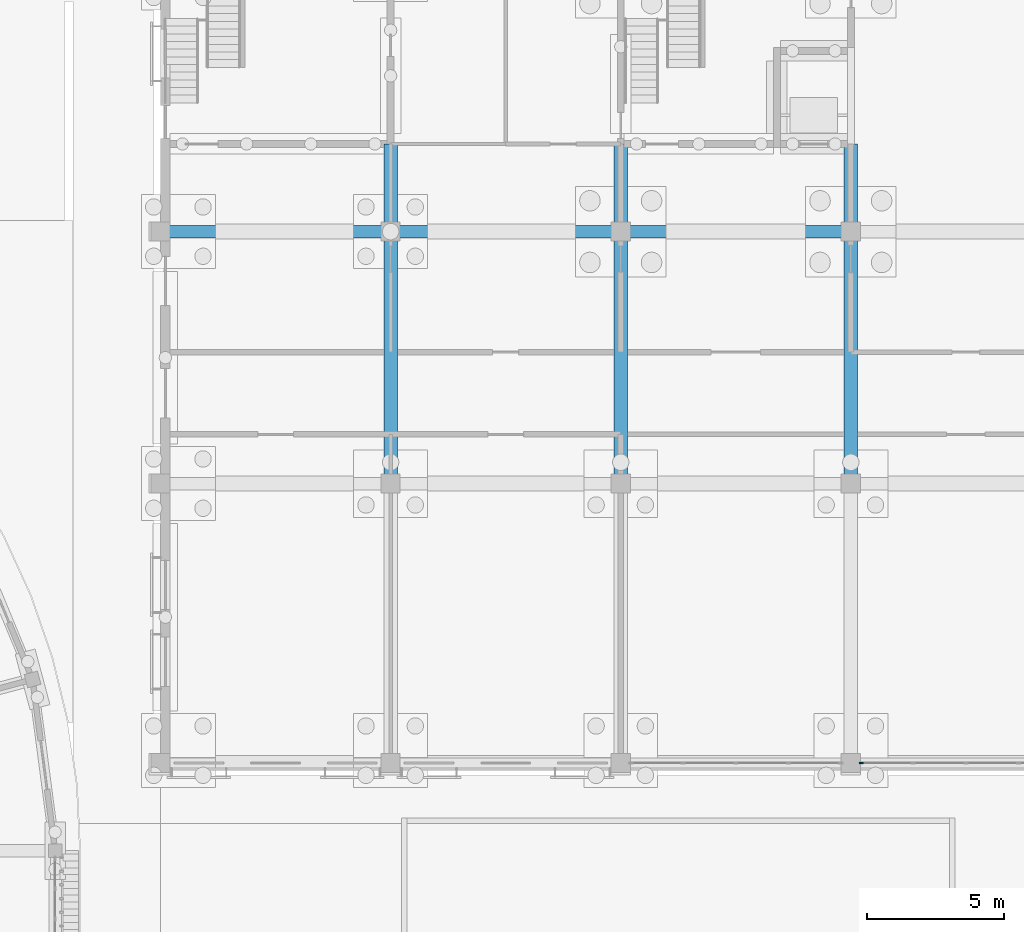
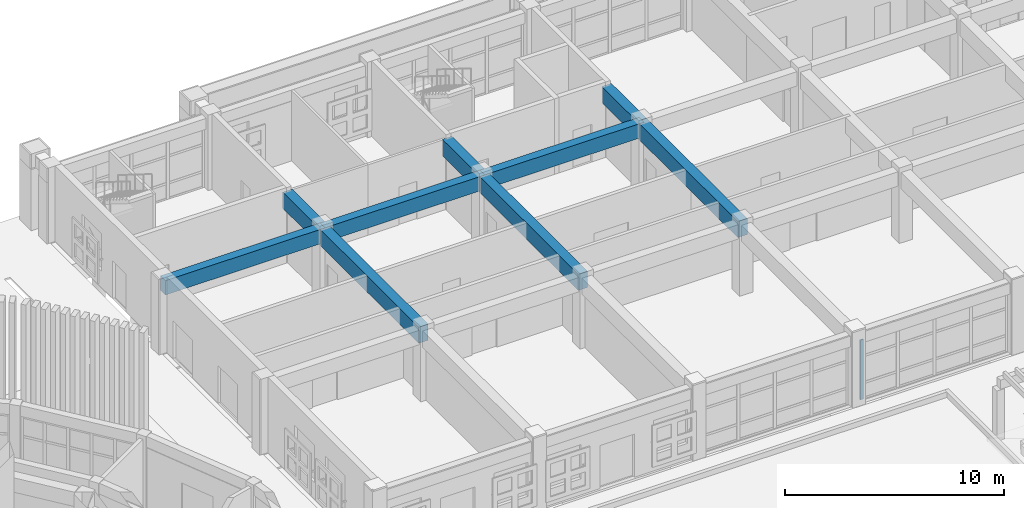
# One storey, part 36 of 112: 9 beams, 1 member, 1 element without a shape of its own.
"""IFC4 building model written with IfcOpenShell, lengths in metres."""

import ifcopenshell
import ifcopenshell.guid

model = None  # the IFC model being written
_history = None  # IfcOwnerHistory: only IFC2X3 demands one
_inside = {}  # id of a spatial element -> (the spatial element, [elements in it])
_under = {}  # id of a project, library or spatial element -> (it, [spatial elements below it])
_declared = {}  # id of a project -> (the project, [libraries it declares])
_typed = {}  # id of a type object -> (the type object, [elements of that type])
_made_of = {}  # id of a material, layer set ... -> (it, [elements and type objects made of it])


def new_model(schema):
    """Start an empty IFC model of exactly this schema.

    Asked for "IFC4X3", IfcOpenShell would pick the latest addendum, in which some entities
    have other attributes; the version numbers below select the first issue.
    IFC2X3 requires an IfcOwnerHistory on every rooted entity: one is made here for all.
    """
    global model, _history
    if schema == "IFC4X3":
        model = ifcopenshell.file(schema_version=(4, 3, 0, 0))
    else:
        model = ifcopenshell.file(schema=schema)
    _inside.clear()
    _under.clear()
    _declared.clear()
    _typed.clear()
    _made_of.clear()
    _history = None
    if model.schema == "IFC2X3":
        org = make("IfcOrganization", Name="unknown")
        user = make(
            "IfcPersonAndOrganization",
            ThePerson=make("IfcPerson", FamilyName="unknown"),
            TheOrganization=org,
        )
        app = make(
            "IfcApplication",
            ApplicationDeveloper=org,
            Version="unknown",
            ApplicationFullName="unknown",
            ApplicationIdentifier="unknown",
        )
        _history = make(
            "IfcOwnerHistory",
            OwningUser=user,
            OwningApplication=app,
            ChangeAction="ADDED",
            CreationDate=0,
        )
    return model


def make(cls, **values):
    """One entity of the class cls with the attributes given. An attribute that is None is left unset."""
    return model.create_entity(
        cls, **{name: value for name, value in values.items() if value is not None}
    )


def rooted(cls, **values):
    """An entity with a GlobalId (a new one), such as an element, a storey or a relation."""
    return make(cls, GlobalId=ifcopenshell.guid.new(), OwnerHistory=_history, **values)


def si_unit(unit_type, name, prefix=None):
    """IfcSIUnit, for example si_unit("LENGTHUNIT", "METRE", prefix="MILLI")."""
    return make("IfcSIUnit", UnitType=unit_type, Prefix=prefix, Name=name)


def assignment(units):
    """IfcUnitAssignment: the units of a project."""
    return None if units is None else make("IfcUnitAssignment", Units=units)


def point(xyz):
    """IfcCartesianPoint."""
    return None if xyz is None else make("IfcCartesianPoint", Coordinates=xyz)


def direction(xyz):
    """IfcDirection."""
    return None if xyz is None else make("IfcDirection", DirectionRatios=xyz)


def frame(location, z_axis=None, x_axis=None):
    """IfcAxis2Placement3D, a coordinate frame: its origin and axes. An axis left out is left unset."""
    return make(
        "IfcAxis2Placement3D",
        Location=point(location),
        Axis=direction(z_axis),
        RefDirection=direction(x_axis),
    )


def frame_2d(location, x_axis=None):
    """IfcAxis2Placement2D, a coordinate frame in the plane: its origin and x axis."""
    return make(
        "IfcAxis2Placement2D", Location=point(location), RefDirection=direction(x_axis)
    )


def origin():
    """The frame at (0, 0, 0) with its axes left unset."""
    return frame((0.0, 0.0, 0.0))


def origin_2d():
    """The frame at (0, 0) in the plane with its x axis left unset."""
    return frame_2d((0.0, 0.0))


def place(relative_to, where):
    """IfcLocalPlacement: puts the frame where relative to a parent placement (None: the world)."""
    return make(
        "IfcLocalPlacement", PlacementRelTo=relative_to, RelativePlacement=where
    )


def context(
    kind, dimensions, precision=None, world=None, true_north=None, identifier=None
):
    """IfcGeometricRepresentationContext, for example the 3D "Model" context."""
    return make(
        "IfcGeometricRepresentationContext",
        ContextIdentifier=identifier,
        ContextType=kind,
        CoordinateSpaceDimension=dimensions,
        Precision=precision,
        WorldCoordinateSystem=world,
        TrueNorth=true_north,
    )


def subcontext(parent, identifier, kind, view, scale=None):
    """IfcGeometricRepresentationSubContext, for example "Body" below "Model"."""
    return make(
        "IfcGeometricRepresentationSubContext",
        ContextIdentifier=identifier,
        ContextType=kind,
        ParentContext=parent,
        TargetScale=scale,
        TargetView=view,
    )


def project(units=None, contexts=None):
    """IfcProject with its units and contexts."""
    return rooted(
        "IfcProject",
        Name="project",
        RepresentationContexts=contexts,
        UnitsInContext=assignment(units),
    )


def spatial(cls, under=None, at=None, **own):
    """A site, building, storey or space (cls), placed at a placement, below another one or the project."""
    s = rooted(cls, ObjectPlacement=at, **own)
    if under is not None:
        _under.setdefault(under.id(), (under, []))[1].append(s)
    return s


def profile(cls, at=None, kind="AREA", **sizes):
    """A parametric profile (cls). Its sizes go by their IFC names, for example OverallWidth=200.0."""
    return make(cls, ProfileType=kind, Position=at, **sizes)


def rectangle(**sizes):
    """IfcRectangleProfileDef."""
    return profile("IfcRectangleProfileDef", **sizes)


def extrude(swept, where, along, depth):
    """IfcExtrudedAreaSolid: the profile swept, set in the frame where, extruded along a direction by depth."""
    return make(
        "IfcExtrudedAreaSolid",
        SweptArea=swept,
        Position=where,
        ExtrudedDirection=direction(along),
        Depth=depth,
    )


def shape(context_of_items, identifier, shape_type, items):
    """IfcShapeRepresentation: the items that make up one representation, for example the "Body"."""
    return make(
        "IfcShapeRepresentation",
        ContextOfItems=context_of_items,
        RepresentationIdentifier=identifier,
        RepresentationType=shape_type,
        Items=items,
    )


def material(Name=None, Category=None):
    """IfcMaterial."""
    return make("IfcMaterial", Name=Name, Category=Category)


def layer(
    of_material, thickness, ventilated=None, Name=None, Category=None, Priority=None
):
    """IfcMaterialLayer: one layer of a wall or slab, of a material (None: an air gap)."""
    return make(
        "IfcMaterialLayer",
        Material=of_material,
        LayerThickness=thickness,
        IsVentilated=ventilated,
        Name=Name,
        Category=Category,
        Priority=Priority,
    )


def layer_set(layers, Name=None):
    """IfcMaterialLayerSet."""
    return make("IfcMaterialLayerSet", MaterialLayers=layers, LayerSetName=Name)


def material_profile(
    of_material, cross_section, Name=None, Category=None, Priority=None
):
    """IfcMaterialProfile: a cross section and its material."""
    return make(
        "IfcMaterialProfile",
        Name=Name,
        Material=of_material,
        Profile=cross_section,
        Priority=Priority,
        Category=Category,
    )


def profile_set(profiles, Name=None, composite=None):
    """IfcMaterialProfileSet."""
    return make(
        "IfcMaterialProfileSet",
        Name=Name,
        MaterialProfiles=profiles,
        CompositeProfile=composite,
    )


def made_of(thing, what):
    """Note that an element or type object is made of a material, layer set ...; save() writes the relation."""
    if what is not None:
        _made_of.setdefault(what.id(), (what, []))[1].append(thing)
    return thing


def type_object(cls, material=None, **own):
    """A type object (cls), such as IfcWallType, which elements share."""
    return made_of(rooted(cls, **own), material)


def element(
    cls,
    number,
    at=None,
    inside=None,
    cuts=None,
    type_object=None,
    material=None,
    context=None,
    identifier="Body",
    shape_type=None,
    held_by="IfcProductDefinitionShape",
    body=None,
    shapes=None,
    **own,
):
    """One element of the class cls, such as IfcWall. Its Tag is "e" and its number.

    at: its placement. inside: the storey or other place that contains it. cuts: it is an
    opening in that element (IfcRelVoidsElement). A single representation is given by context,
    identifier, shape_type and body (its items); several are given by shapes. held_by: the class
    of the entity that holds the representations. save() writes the other relations.
    """
    e = rooted(cls, Tag="e%d" % number, ObjectPlacement=at, **own)
    if body is not None:
        shapes = [shape(context, identifier, shape_type, body)]
    if shapes is not None:
        e.Representation = make(held_by, Representations=shapes)
    if inside is not None:
        _inside.setdefault(inside.id(), (inside, []))[1].append(e)
    if cuts is not None:
        rooted(
            "IfcRelVoidsElement", RelatingBuildingElement=cuts, RelatedOpeningElement=e
        )
    if type_object is not None:
        _typed.setdefault(type_object.id(), (type_object, []))[1].append(e)
    return made_of(e, material)


def aggregate(whole, parts):
    """IfcRelAggregates: a whole, such as a stair, and the parts it consists of."""
    return rooted("IfcRelAggregates", RelatingObject=whole, RelatedObjects=parts)


def save(model, path):
    """Write the relations noted so far, then the file.

    IfcRelAggregates (storeys below a building ...), IfcRelContainedInSpatialStructure (elements
    in a storey), IfcRelDefinesByType, IfcRelAssociatesMaterial and IfcRelDeclares: one each for
    every whole, place, type object, material and project.
    """
    for whole, parts in _under.values():
        aggregate(whole, parts)
    for where, things in _inside.values():
        rooted(
            "IfcRelContainedInSpatialStructure",
            RelatedElements=things,
            RelatingStructure=where,
        )
    for kind, things in _typed.values():
        rooted("IfcRelDefinesByType", RelatedObjects=things, RelatingType=kind)
    for what, things in _made_of.values():
        rooted("IfcRelAssociatesMaterial", RelatedObjects=things, RelatingMaterial=what)
    for by, libraries in _declared.values():
        rooted("IfcRelDeclares", RelatingContext=by, RelatedDefinitions=libraries)
    model.write(path)


model = new_model("IFC4")

# Units and contexts
model_context = context("Model", 3, precision=1e-05, world=origin(), true_north=direction((0.0, 1.0)))
body_context = subcontext(model_context, "Body", "Model", "MODEL_VIEW")
ifc_project = project(units=[si_unit("LENGTHUNIT", "METRE"), si_unit("AREAUNIT", "SQUARE_METRE"), si_unit("VOLUMEUNIT", "CUBIC_METRE"), si_unit("PLANEANGLEUNIT", "RADIAN"), si_unit("MASSUNIT", "GRAM", prefix="KILO")], contexts=[model_context])

# Site, building, storey
site_placement = place(None, origin())
site = spatial("IfcSite", under=ifc_project, at=site_placement, CompositionType="ELEMENT")
building_placement = place(site_placement, origin())
building = spatial("IfcBuilding", under=site, at=building_placement, Name="Wasatch Bagh Community Centre", CompositionType="ELEMENT")
storey_placement = place(building_placement, origin())
storey = spatial("IfcBuildingStorey", under=building, at=storey_placement, Name="L00", CompositionType="ELEMENT", Elevation=0.0)

# Beams
ifc_material_1 = material(Name="Concrete C35", Category="concrete")
ifc_material_profile_1 = material_profile(ifc_material_1, rectangle(XDim=0.449951171875, YDim=0.800048828125, at=origin_2d()), Name="RC 450x800")
ifc_profile_set_1 = profile_set([ifc_material_profile_1], Name="Concrete C35")
beam_type_1 = type_object("IfcBeamType", Name="LW RC 450x800", PredefinedType="BEAM", material=ifc_profile_set_1)
beam_1_placement = place(storey_placement, frame((64.0, 87.60009765625, 3.52001953125), z_axis=(1.0, 0.0, 0.0), x_axis=(0.0, 1.0, 0.0)))
element("IfcBeam", 1, at=beam_1_placement, inside=storey, type_object=beam_type_1, Name="W1-W2M", PredefinedType="BEAM", context=body_context, shape_type="SweptSolid", body=[
    extrude(rectangle(XDim=0.449951171875, YDim=0.800048828125, at=origin_2d()), origin(), (0.0, 0.0, 1.0), 8.39990234375),
])
beam_2_placement = place(storey_placement, frame((72.39990234375, 87.60009765625, 3.52001953125), z_axis=(1.0, 0.0, 0.0), x_axis=(0.0, 1.0, 0.0)))
element("IfcBeam", 2, at=beam_2_placement, inside=storey, type_object=beam_type_1, Name="W2-W3M", PredefinedType="BEAM", context=body_context, shape_type="SweptSolid", body=[
    extrude(rectangle(XDim=0.449951171875, YDim=0.800048828125, at=origin_2d()), origin(), (0.0, 0.0, 1.0), 8.400146484375),
])
beam_3_placement = place(storey_placement, frame((80.800048828125, 87.60009765625, 3.52001953125), z_axis=(1.0, 0.0, 0.0), x_axis=(0.0, 1.0, 0.0)))
element("IfcBeam", 3, at=beam_3_placement, inside=storey, type_object=beam_type_1, Name="W3-W4M", PredefinedType="BEAM", context=body_context, shape_type="SweptSolid", body=[
    extrude(rectangle(XDim=0.449951171875, YDim=0.800048828125, at=origin_2d()), origin(), (0.0, 0.0, 1.0), 8.39990234375),
])
ifc_material_profile_2 = material_profile(ifc_material_1, rectangle(XDim=0.5, YDim=0.89990234375, at=origin_2d()), Name="RC 500x900")
ifc_profile_set_2 = profile_set([ifc_material_profile_2], Name="Concrete C35")
beam_type_2 = type_object("IfcBeamType", Name="LW RC 500x900", PredefinedType="BEAM", material=ifc_profile_set_2)
beam_4_placement = place(storey_placement, frame((72.39990234375, 78.39990234375, 3.469970703125), z_axis=(0.0, 1.0, 0.0), x_axis=(-1.0, 0.0, 0.0)))
element("IfcBeam", 4, at=beam_4_placement, inside=storey, type_object=beam_type_2, Name="W2S-M", PredefinedType="BEAM", context=body_context, shape_type="SweptSolid", body=[
    extrude(rectangle(XDim=0.5, YDim=0.89990234375, at=origin_2d()), origin(), (0.0, 0.0, 1.0), 9.2001953125),
])
beam_5_placement = place(storey_placement, frame((72.39990234375, 87.60009765625, 3.469970703125), z_axis=(0.0, 1.0, 0.0), x_axis=(-1.0, 0.0, 0.0)))
element("IfcBeam", 5, at=beam_5_placement, inside=storey, type_object=beam_type_2, Name="W2M-N", PredefinedType="BEAM", context=body_context, shape_type="SweptSolid", body=[
    extrude(rectangle(XDim=0.5, YDim=0.89990234375, at=origin_2d()), origin(), (0.0, 0.0, 1.0), 3.199951171875),
])
beam_6_placement = place(storey_placement, frame((80.800048828125, 78.39990234375, 3.469970703125), z_axis=(0.0, 1.0, 0.0), x_axis=(-1.0, 0.0, 0.0)))
element("IfcBeam", 6, at=beam_6_placement, inside=storey, type_object=beam_type_2, Name="W3S-M", PredefinedType="BEAM", context=body_context, shape_type="SweptSolid", body=[
    extrude(rectangle(XDim=0.5, YDim=0.89990234375, at=origin_2d()), origin(), (0.0, 0.0, 1.0), 9.2001953125),
])
beam_7_placement = place(storey_placement, frame((80.800048828125, 87.60009765625, 3.469970703125), z_axis=(0.0, 1.0, 0.0), x_axis=(-1.0, 0.0, 0.0)))
element("IfcBeam", 7, at=beam_7_placement, inside=storey, type_object=beam_type_2, Name="W3M-N", PredefinedType="BEAM", context=body_context, shape_type="SweptSolid", body=[
    extrude(rectangle(XDim=0.5, YDim=0.89990234375, at=origin_2d()), origin(), (0.0, 0.0, 1.0), 3.199951171875),
])
beam_8_placement = place(storey_placement, frame((89.199951171875, 78.39990234375, 3.469970703125), z_axis=(0.0, 1.0, 0.0), x_axis=(-1.0, 0.0, 0.0)))
element("IfcBeam", 8, at=beam_8_placement, inside=storey, type_object=beam_type_2, Name="W4S-M", PredefinedType="BEAM", context=body_context, shape_type="SweptSolid", body=[
    extrude(rectangle(XDim=0.5, YDim=0.89990234375, at=origin_2d()), origin(), (0.0, 0.0, 1.0), 9.2001953125),
])
beam_9_placement = place(storey_placement, frame((89.199951171875, 87.60009765625, 3.469970703125), z_axis=(0.0, 1.0, 0.0), x_axis=(-1.0, 0.0, 0.0)))
element("IfcBeam", 9, at=beam_9_placement, inside=storey, type_object=beam_type_2, Name="W4M-N", PredefinedType="BEAM", context=body_context, shape_type="SweptSolid", body=[
    extrude(rectangle(XDim=0.5, YDim=0.89990234375, at=origin_2d()), origin(), (0.0, 0.0, 1.0), 3.199951171875),
])

# Curtain wall, member
ifc_material_2 = material(Name="Aluminium curtain wall frame with low-iron glass", Category="aluminium")
ifc_layer = layer(ifc_material_2, 0.139892578125)
ifc_layer_set = layer_set([ifc_layer], Name="Aluminium curtain wall frame with low-iron glass")
curtain_wall_type = type_object("IfcCurtainWallType", Name="LW terrace front curtain wall 140", PredefinedType="NOTDEFINED", material=ifc_layer_set)
curtain_wall_placement = place(storey_placement, origin())
curtain_wall = element("IfcCurtainWall", 10, at=curtain_wall_placement, inside=storey, type_object=curtain_wall_type, Name="Curtain wall 00.02", PredefinedType="NOTDEFINED")
ifc_material_3 = material(Name="Aluminium extrusion", Category="aluminium")
ifc_material_profile_3 = material_profile(ifc_material_3, rectangle(XDim=0.06005859375, YDim=0.159912109375, at=origin_2d()), Name="AL 60x160")
ifc_profile_set_3 = profile_set([ifc_material_profile_3], Name="Aluminium extrusion")
member_type = type_object("IfcMemberType", Name="LW curtain wall mullion 60x160 LW-CW3", PredefinedType="MULLION", material=ifc_profile_set_3)
member_placement = place(storey_placement, frame((89.580078125, 68.199951171875, 0.0), z_axis=(0.0, 0.0, 1.0), x_axis=(0.0, 1.0, 0.0)))
member = element("IfcMember", 11, at=member_placement, type_object=member_type, Name="LW-CW3 mullion 1", PredefinedType="MULLION", context=body_context, shape_type="SweptSolid", body=[
    extrude(rectangle(XDim=0.06005859375, YDim=0.159912109375, at=origin_2d()), origin(), (0.0, 0.0, 1.0), 3.320068359375),
])
aggregate(curtain_wall, [member])

save(model, "model.ifc")
